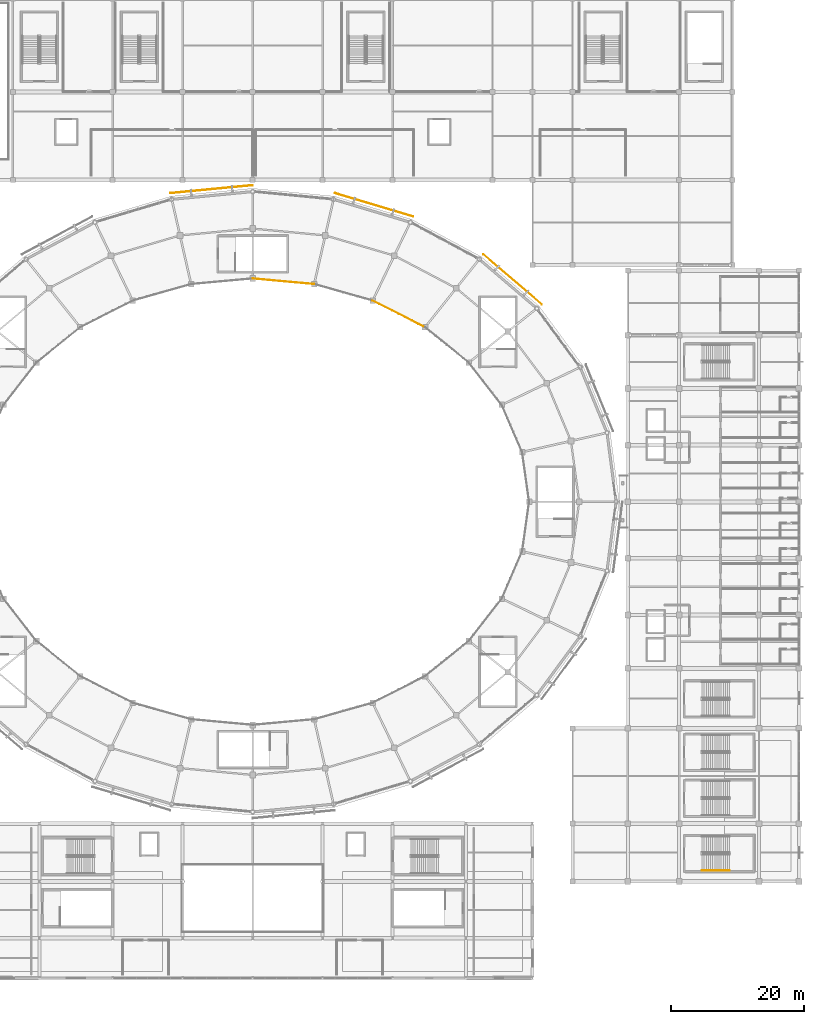
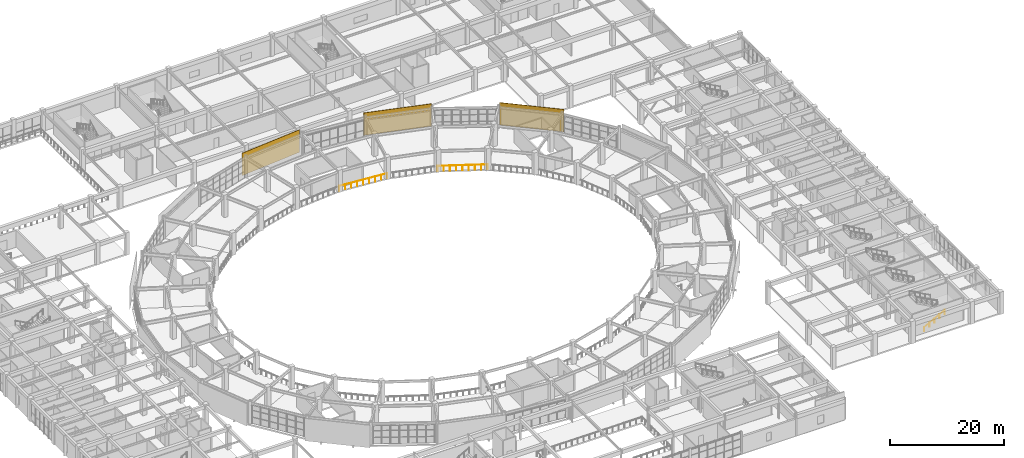
# One storey, part 104 of 112: 3 coverings, 3 railings.
"""IFC4 building model written with IfcOpenShell, lengths in metres."""

import ifcopenshell
import ifcopenshell.guid

model = None  # the IFC model being written
_history = None  # IfcOwnerHistory: only IFC2X3 demands one
_inside = {}  # id of a spatial element -> (the spatial element, [elements in it])
_under = {}  # id of a project, library or spatial element -> (it, [spatial elements below it])
_declared = {}  # id of a project -> (the project, [libraries it declares])
_typed = {}  # id of a type object -> (the type object, [elements of that type])
_made_of = {}  # id of a material, layer set ... -> (it, [elements and type objects made of it])


def new_model(schema):
    """Start an empty IFC model of exactly this schema.

    Asked for "IFC4X3", IfcOpenShell would pick the latest addendum, in which some entities
    have other attributes; the version numbers below select the first issue.
    IFC2X3 requires an IfcOwnerHistory on every rooted entity: one is made here for all.
    """
    global model, _history
    if schema == "IFC4X3":
        model = ifcopenshell.file(schema_version=(4, 3, 0, 0))
    else:
        model = ifcopenshell.file(schema=schema)
    _inside.clear()
    _under.clear()
    _declared.clear()
    _typed.clear()
    _made_of.clear()
    _history = None
    if model.schema == "IFC2X3":
        org = make("IfcOrganization", Name="unknown")
        user = make(
            "IfcPersonAndOrganization",
            ThePerson=make("IfcPerson", FamilyName="unknown"),
            TheOrganization=org,
        )
        app = make(
            "IfcApplication",
            ApplicationDeveloper=org,
            Version="unknown",
            ApplicationFullName="unknown",
            ApplicationIdentifier="unknown",
        )
        _history = make(
            "IfcOwnerHistory",
            OwningUser=user,
            OwningApplication=app,
            ChangeAction="ADDED",
            CreationDate=0,
        )
    return model


def make(cls, **values):
    """One entity of the class cls with the attributes given. An attribute that is None is left unset."""
    return model.create_entity(
        cls, **{name: value for name, value in values.items() if value is not None}
    )


def rooted(cls, **values):
    """An entity with a GlobalId (a new one), such as an element, a storey or a relation."""
    return make(cls, GlobalId=ifcopenshell.guid.new(), OwnerHistory=_history, **values)


def si_unit(unit_type, name, prefix=None):
    """IfcSIUnit, for example si_unit("LENGTHUNIT", "METRE", prefix="MILLI")."""
    return make("IfcSIUnit", UnitType=unit_type, Prefix=prefix, Name=name)


def assignment(units):
    """IfcUnitAssignment: the units of a project."""
    return None if units is None else make("IfcUnitAssignment", Units=units)


def point(xyz):
    """IfcCartesianPoint."""
    return None if xyz is None else make("IfcCartesianPoint", Coordinates=xyz)


def direction(xyz):
    """IfcDirection."""
    return None if xyz is None else make("IfcDirection", DirectionRatios=xyz)


def frame(location, z_axis=None, x_axis=None):
    """IfcAxis2Placement3D, a coordinate frame: its origin and axes. An axis left out is left unset."""
    return make(
        "IfcAxis2Placement3D",
        Location=point(location),
        Axis=direction(z_axis),
        RefDirection=direction(x_axis),
    )


def frame_2d(location, x_axis=None):
    """IfcAxis2Placement2D, a coordinate frame in the plane: its origin and x axis."""
    return make(
        "IfcAxis2Placement2D", Location=point(location), RefDirection=direction(x_axis)
    )


def origin():
    """The frame at (0, 0, 0) with its axes left unset."""
    return frame((0.0, 0.0, 0.0))


def origin_2d():
    """The frame at (0, 0) in the plane with its x axis left unset."""
    return frame_2d((0.0, 0.0))


def place(relative_to, where):
    """IfcLocalPlacement: puts the frame where relative to a parent placement (None: the world)."""
    return make(
        "IfcLocalPlacement", PlacementRelTo=relative_to, RelativePlacement=where
    )


def context(
    kind, dimensions, precision=None, world=None, true_north=None, identifier=None
):
    """IfcGeometricRepresentationContext, for example the 3D "Model" context."""
    return make(
        "IfcGeometricRepresentationContext",
        ContextIdentifier=identifier,
        ContextType=kind,
        CoordinateSpaceDimension=dimensions,
        Precision=precision,
        WorldCoordinateSystem=world,
        TrueNorth=true_north,
    )


def subcontext(parent, identifier, kind, view, scale=None):
    """IfcGeometricRepresentationSubContext, for example "Body" below "Model"."""
    return make(
        "IfcGeometricRepresentationSubContext",
        ContextIdentifier=identifier,
        ContextType=kind,
        ParentContext=parent,
        TargetScale=scale,
        TargetView=view,
    )


def project(units=None, contexts=None):
    """IfcProject with its units and contexts."""
    return rooted(
        "IfcProject",
        Name="project",
        RepresentationContexts=contexts,
        UnitsInContext=assignment(units),
    )


def spatial(cls, under=None, at=None, **own):
    """A site, building, storey or space (cls), placed at a placement, below another one or the project."""
    s = rooted(cls, ObjectPlacement=at, **own)
    if under is not None:
        _under.setdefault(under.id(), (under, []))[1].append(s)
    return s


def profile(cls, at=None, kind="AREA", **sizes):
    """A parametric profile (cls). Its sizes go by their IFC names, for example OverallWidth=200.0."""
    return make(cls, ProfileType=kind, Position=at, **sizes)


def rectangle(**sizes):
    """IfcRectangleProfileDef."""
    return profile("IfcRectangleProfileDef", **sizes)


def circle(**sizes):
    """IfcCircleProfileDef."""
    return profile("IfcCircleProfileDef", **sizes)


def extrude(swept, where, along, depth):
    """IfcExtrudedAreaSolid: the profile swept, set in the frame where, extruded along a direction by depth."""
    return make(
        "IfcExtrudedAreaSolid",
        SweptArea=swept,
        Position=where,
        ExtrudedDirection=direction(along),
        Depth=depth,
    )


def shape(context_of_items, identifier, shape_type, items):
    """IfcShapeRepresentation: the items that make up one representation, for example the "Body"."""
    return make(
        "IfcShapeRepresentation",
        ContextOfItems=context_of_items,
        RepresentationIdentifier=identifier,
        RepresentationType=shape_type,
        Items=items,
    )


def material(Name=None, Category=None):
    """IfcMaterial."""
    return make("IfcMaterial", Name=Name, Category=Category)


def layer(
    of_material, thickness, ventilated=None, Name=None, Category=None, Priority=None
):
    """IfcMaterialLayer: one layer of a wall or slab, of a material (None: an air gap)."""
    return make(
        "IfcMaterialLayer",
        Material=of_material,
        LayerThickness=thickness,
        IsVentilated=ventilated,
        Name=Name,
        Category=Category,
        Priority=Priority,
    )


def layer_set(layers, Name=None):
    """IfcMaterialLayerSet."""
    return make("IfcMaterialLayerSet", MaterialLayers=layers, LayerSetName=Name)


def made_of(thing, what):
    """Note that an element or type object is made of a material, layer set ...; save() writes the relation."""
    if what is not None:
        _made_of.setdefault(what.id(), (what, []))[1].append(thing)
    return thing


def type_object(cls, material=None, **own):
    """A type object (cls), such as IfcWallType, which elements share."""
    return made_of(rooted(cls, **own), material)


def element(
    cls,
    number,
    at=None,
    inside=None,
    cuts=None,
    type_object=None,
    material=None,
    context=None,
    identifier="Body",
    shape_type=None,
    held_by="IfcProductDefinitionShape",
    body=None,
    shapes=None,
    **own,
):
    """One element of the class cls, such as IfcWall. Its Tag is "e" and its number.

    at: its placement. inside: the storey or other place that contains it. cuts: it is an
    opening in that element (IfcRelVoidsElement). A single representation is given by context,
    identifier, shape_type and body (its items); several are given by shapes. held_by: the class
    of the entity that holds the representations. save() writes the other relations.
    """
    e = rooted(cls, Tag="e%d" % number, ObjectPlacement=at, **own)
    if body is not None:
        shapes = [shape(context, identifier, shape_type, body)]
    if shapes is not None:
        e.Representation = make(held_by, Representations=shapes)
    if inside is not None:
        _inside.setdefault(inside.id(), (inside, []))[1].append(e)
    if cuts is not None:
        rooted(
            "IfcRelVoidsElement", RelatingBuildingElement=cuts, RelatedOpeningElement=e
        )
    if type_object is not None:
        _typed.setdefault(type_object.id(), (type_object, []))[1].append(e)
    return made_of(e, material)


def aggregate(whole, parts):
    """IfcRelAggregates: a whole, such as a stair, and the parts it consists of."""
    return rooted("IfcRelAggregates", RelatingObject=whole, RelatedObjects=parts)


def save(model, path):
    """Write the relations noted so far, then the file.

    IfcRelAggregates (storeys below a building ...), IfcRelContainedInSpatialStructure (elements
    in a storey), IfcRelDefinesByType, IfcRelAssociatesMaterial and IfcRelDeclares: one each for
    every whole, place, type object, material and project.
    """
    for whole, parts in _under.values():
        aggregate(whole, parts)
    for where, things in _inside.values():
        rooted(
            "IfcRelContainedInSpatialStructure",
            RelatedElements=things,
            RelatingStructure=where,
        )
    for kind, things in _typed.values():
        rooted("IfcRelDefinesByType", RelatedObjects=things, RelatingType=kind)
    for what, things in _made_of.values():
        rooted("IfcRelAssociatesMaterial", RelatedObjects=things, RelatingMaterial=what)
    for by, libraries in _declared.values():
        rooted("IfcRelDeclares", RelatingContext=by, RelatedDefinitions=libraries)
    model.write(path)


model = new_model("IFC4")

# Units and contexts
model_context = context("Model", 3, precision=1e-05, world=origin(), true_north=direction((0.0, 1.0)))
body_context = subcontext(model_context, "Body", "Model", "MODEL_VIEW")
ifc_project = project(units=[si_unit("LENGTHUNIT", "METRE"), si_unit("AREAUNIT", "SQUARE_METRE"), si_unit("VOLUMEUNIT", "CUBIC_METRE"), si_unit("PLANEANGLEUNIT", "RADIAN"), si_unit("MASSUNIT", "GRAM", prefix="KILO")], contexts=[model_context])

# Site, building, storey
site_placement = place(None, origin())
site = spatial("IfcSite", under=ifc_project, at=site_placement, CompositionType="ELEMENT")
building_placement = place(site_placement, origin())
building = spatial("IfcBuilding", under=site, at=building_placement, Name="Cuetzalor Civic Arena", CompositionType="ELEMENT")
storey_placement = place(building_placement, frame((0.0, 0.0, 11.39990234375)))
storey = spatial("IfcBuildingStorey", under=building, at=storey_placement, Name="L02", CompositionType="ELEMENT", Elevation=11.39990234375)

# Railings
ifc_material_1 = material(Name="Reseda-green Steel S355 and laminated glass guard", Category="steel")
railing_type_1 = type_object("IfcRailingType", Name="BowlSightlineGuard_1100", PredefinedType="BALUSTRADE", material=ifc_material_1)
railing_1_placement = place(storey_placement, frame((25.874755859375, 26.19140625, 0.0)))
element("IfcRailing", 1, at=railing_1_placement, inside=storey, type_object=railing_type_1, Name="Club Gallery Bowl Rim Balustrade S05", PredefinedType="BALUSTRADE", context=body_context, shape_type="SweptSolid", body=[
    extrude(circle(Radius=0.02392578125, at=origin_2d()), frame((0.0, 0.0, 1.076171875), z_axis=(-0.891833390372, 0.452364016935, 0.0), x_axis=(-0.452364016935, -0.891833390372, 0.0)), (0.0, 0.0, 1.0), 8.822998046875),
    extrude(circle(Radius=0.02099609375, at=origin_2d()), origin(), (0.0, 0.0, 1.0), 1.052001953125),
    extrude(circle(Radius=0.02099609375, at=origin_2d()), frame((-0.983642578125, 0.4990234375, 0.0)), (0.0, 0.0, 1.0), 1.052001953125),
    extrude(circle(Radius=0.02099609375, at=origin_2d()), frame((-1.96728515625, 0.997802734375, 0.0)), (0.0, 0.0, 1.0), 1.052001953125),
    extrude(circle(Radius=0.02099609375, at=origin_2d()), frame((-2.95068359375, 1.49658203125, 0.0)), (0.0, 0.0, 1.0), 1.052001953125),
    extrude(circle(Radius=0.02099609375, at=origin_2d()), frame((-3.934326171875, 1.99560546875, 0.0)), (0.0, 0.0, 1.0), 1.052001953125),
    extrude(circle(Radius=0.02099609375, at=origin_2d()), frame((-4.91796875, 2.49462890625, 0.0)), (0.0, 0.0, 1.0), 1.052001953125),
    extrude(circle(Radius=0.02099609375, at=origin_2d()), frame((-5.9013671875, 2.993408203125, 0.0)), (0.0, 0.0, 1.0), 1.052001953125),
    extrude(circle(Radius=0.02099609375, at=origin_2d()), frame((-6.885009765625, 3.4921875, 0.0)), (0.0, 0.0, 1.0), 1.052001953125),
    extrude(circle(Radius=0.02099609375, at=origin_2d()), frame((-7.86865234375, 3.9912109375, 0.0)), (0.0, 0.0, 1.0), 1.052001953125),
])
railing_2_placement = place(storey_placement, frame((9.234619140625, 32.66015625, 0.0)))
element("IfcRailing", 2, at=railing_2_placement, inside=storey, type_object=railing_type_1, Name="Club Gallery Bowl Rim Balustrade S07", PredefinedType="BALUSTRADE", context=body_context, shape_type="SweptSolid", body=[
    extrude(circle(Radius=0.02392578125, at=origin_2d()), frame((0.0, 0.0, 1.076171875), z_axis=(-0.995889968673, 0.090571354719, 0.0), x_axis=(-0.090571354719, -0.995889968673, 0.0)), (0.0, 0.0, 1.0), 9.272705078125),
    extrude(circle(Radius=0.02099609375, at=origin_2d()), origin(), (0.0, 0.0, 1.0), 1.052001953125),
    extrude(circle(Radius=0.02099609375, at=origin_2d()), frame((-1.154296875, 0.10498046875, 0.0)), (0.0, 0.0, 1.0), 1.052001953125),
    extrude(circle(Radius=0.02099609375, at=origin_2d()), frame((-2.30859375, 0.2099609375, 0.0)), (0.0, 0.0, 1.0), 1.052001953125),
    extrude(circle(Radius=0.02099609375, at=origin_2d()), frame((-3.462890625, 0.31494140625, 0.0)), (0.0, 0.0, 1.0), 1.052001953125),
    extrude(circle(Radius=0.02099609375, at=origin_2d()), frame((-4.6171875, 0.419921875, 0.0)), (0.0, 0.0, 1.0), 1.052001953125),
    extrude(circle(Radius=0.02099609375, at=origin_2d()), frame((-5.771728515625, 0.52490234375, 0.0)), (0.0, 0.0, 1.0), 1.052001953125),
    extrude(circle(Radius=0.02099609375, at=origin_2d()), frame((-6.926025390625, 0.6298828125, 0.0)), (0.0, 0.0, 1.0), 1.052001953125),
    extrude(circle(Radius=0.02099609375, at=origin_2d()), frame((-8.080322265625, 0.73486328125, 0.0)), (0.0, 0.0, 1.0), 1.052001953125),
    extrude(circle(Radius=0.02099609375, at=origin_2d()), frame((-9.234619140625, 0.83984375, 0.0)), (0.0, 0.0, 1.0), 1.052001953125),
])
ifc_material_2 = material(Name="Galvanised steel S355", Category="steel")
railing_type_2 = type_object("IfcRailingType", Name="StairPitchHandrail_900", PredefinedType="HANDRAIL", material=ifc_material_2)
railing_3_placement = place(storey_placement, frame((67.449951171875, -55.35009765625, 0.171630859375)))
element("IfcRailing", 3, at=railing_3_placement, inside=storey, type_object=railing_type_2, Name="L02 ST-18 stair handrail 1", PredefinedType="HANDRAIL", context=body_context, shape_type="SweptSolid", body=[
    extrude(circle(Radius=0.02392578125, at=origin_2d()), frame((0.0, 0.0, 0.8759765625), z_axis=(0.880248997335, 0.0, 0.474512068014), x_axis=(0.0, 1.0, 0.0)), (0.0, 0.0, 1.0), 4.696533203125),
    extrude(circle(Radius=0.02099609375, at=origin_2d()), origin(), (0.0, 0.0, 1.0), 0.851806640625),
    extrude(circle(Radius=0.02099609375, at=origin_2d()), frame((1.033447265625, 0.0, 0.55712890625)), (0.0, 0.0, 1.0), 0.851806640625),
    extrude(circle(Radius=0.02099609375, at=origin_2d()), frame((2.06689453125, 0.0, 1.1142578125)), (0.0, 0.0, 1.0), 0.851806640625),
    extrude(circle(Radius=0.02099609375, at=origin_2d()), frame((3.1005859375, 0.0, 1.67138671875)), (0.0, 0.0, 1.0), 0.851806640625),
    extrude(circle(Radius=0.02099609375, at=origin_2d()), frame((4.134033203125, 0.0, 2.228515625)), (0.0, 0.0, 1.0), 0.851806640625),
])

# Coverings
ifc_material_3 = material(Name="Terracotta-red perforated anodised aluminium panel", Category="masonry")
ifc_layer = layer(ifc_material_3, 0.080078125)
ifc_layer_set = layer_set([ifc_layer], Name="Terracotta-red perforated anodised aluminium panel")
covering_type = type_object("IfcCoveringType", Name="TerracottaPerforatedScreenPanel", PredefinedType="CLADDING", material=ifc_layer_set)
covering_1_placement = place(storey_placement, frame((34.603759765625, 37.136962890625, -0.139892578125), z_axis=(0.0, 0.0, 1.0), x_axis=(0.759734649699, -0.650233236652, 0.0)))
element("IfcCovering", 4, at=covering_1_placement, inside=storey, type_object=covering_type, Name="Terracotta Perforated Drum Screen L02-S04", PredefinedType="CLADDING", context=body_context, shape_type="SweptSolid", body=[
    extrude(rectangle(XDim=11.56689453125, YDim=0.080078125, at=frame_2d((5.783447265625, 0.0))), origin(), (0.0, 0.0, 1.0), 4.820068359375),
])
covering_2_placement = place(storey_placement, frame((12.349853515625, 46.30908203125, -0.139892578125), z_axis=(0.0, 0.0, 1.0), x_axis=(0.957961714935, -0.286896066056, 0.0)))
element("IfcCovering", 5, at=covering_2_placement, inside=storey, type_object=covering_type, Name="Terracotta Perforated Drum Screen L02-S06", PredefinedType="CLADDING", context=body_context, shape_type="SweptSolid", body=[
    extrude(rectangle(XDim=12.24560546875, YDim=0.080078125, at=frame_2d((6.122802734375, 0.0))), origin(), (0.0, 0.0, 1.0), 4.820068359375),
])
covering_3_placement = place(storey_placement, frame((-12.349853515625, 46.30908203125, -0.139892578125), z_axis=(0.0, 0.0, 1.0), x_axis=(0.995382637025, 0.095986488157, 0.0)))
element("IfcCovering", 6, at=covering_3_placement, inside=storey, type_object=covering_type, Name="Terracotta Perforated Drum Screen L02-S08", PredefinedType="CLADDING", context=body_context, shape_type="SweptSolid", body=[
    extrude(rectangle(XDim=12.4072265625, YDim=0.080078125, at=frame_2d((6.20361328125, 0.0))), origin(), (0.0, 0.0, 1.0), 4.820068359375),
])

save(model, "model.ifc")
